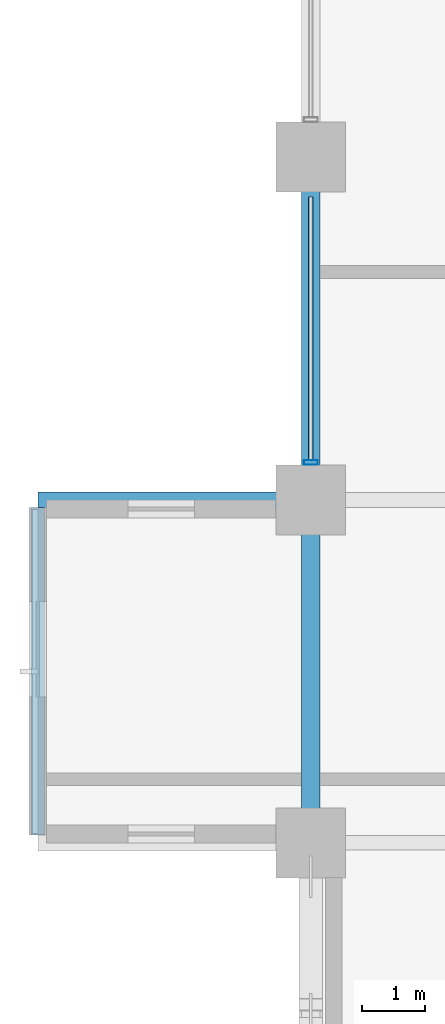
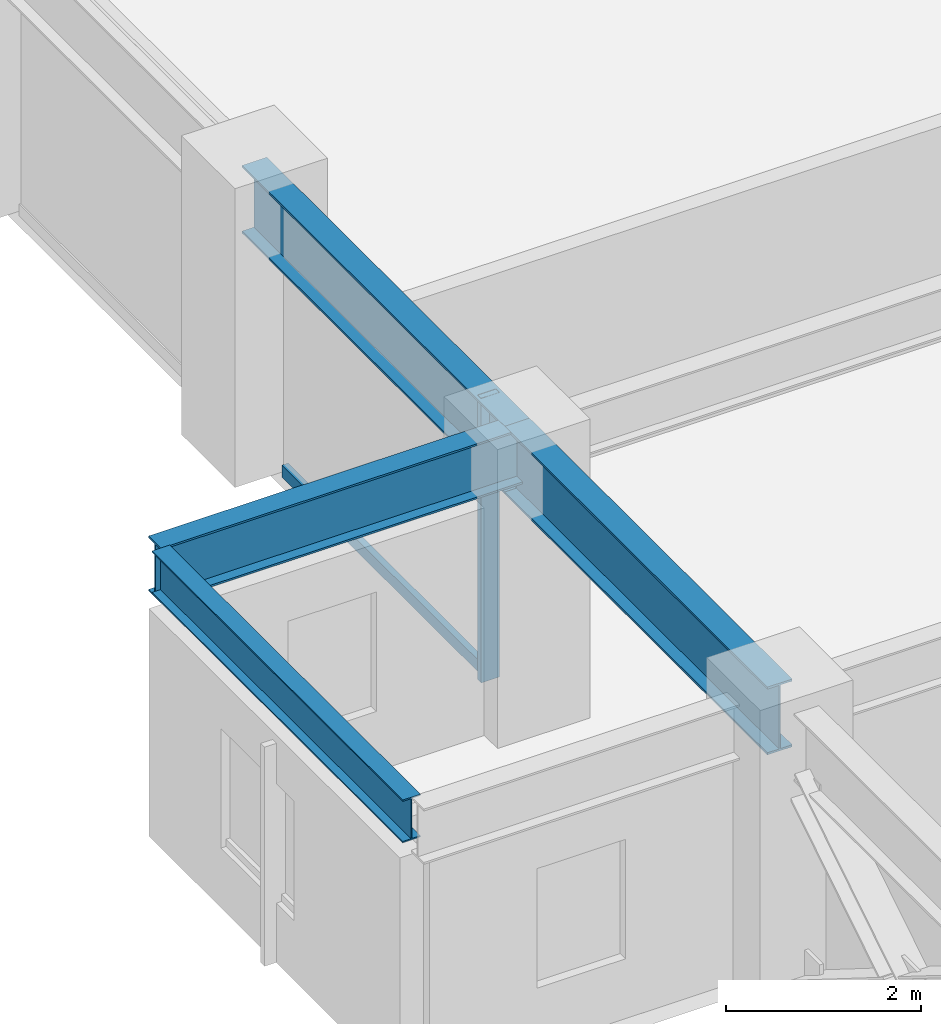
# One storey, part 5 of 29: 4 beams, 2 members, 1 element without a shape of its own.
"""IFC4 building model written with IfcOpenShell, lengths in metres."""

from ifc_helpers import new_model, si_unit, direction, frame, origin, origin_2d, place, context, subcontext, project, spatial, hollow_rectangle, i_section, extrude, material, layer, layer_set, material_profile, profile_set, type_object, element, aggregate, save


model = new_model("IFC4")

# Units and contexts
model_context = context("Model", 3, precision=1e-05, world=origin(), true_north=direction((0.0, 1.0)))
body_context = subcontext(model_context, "Body", "Model", "MODEL_VIEW")
ifc_project = project(units=[si_unit("LENGTHUNIT", "METRE"), si_unit("AREAUNIT", "SQUARE_METRE"), si_unit("VOLUMEUNIT", "CUBIC_METRE"), si_unit("PLANEANGLEUNIT", "RADIAN"), si_unit("MASSUNIT", "GRAM", prefix="KILO")], contexts=[model_context])

# Site, building, storey
site_placement = place(None, origin())
site = spatial("IfcSite", under=ifc_project, at=site_placement, CompositionType="ELEMENT")
building_placement = place(site_placement, origin())
building = spatial("IfcBuilding", under=site, at=building_placement, Name="Surkhivell Harbour Commons", CompositionType="ELEMENT")
storey_placement = place(building_placement, frame((0.0, 0.0, 90.75)))
storey = spatial("IfcBuildingStorey", under=building, at=storey_placement, Name="L23", CompositionType="ELEMENT", Elevation=90.75)

# Beams
ifc_material_1 = material(Name="Steel S460", Category="steel")
ifc_material_profile_1 = material_profile(ifc_material_1, i_section(OverallWidth=0.256103515625, OverallDepth=0.693115234375, WebThickness=0.014404296875, FlangeThickness=0.023681640625, at=origin_2d()), Name="UB686x254x170")
ifc_profile_set_1 = profile_set([ifc_material_profile_1], Name="Steel S460")
beam_type_1 = type_object("IfcBeamType", Name="BM-CNT-686", PredefinedType="BEAM", material=ifc_profile_set_1)
beam_1_placement = place(storey_placement, frame((-32.39990234375, -5.39990234375, 3.223388671875), z_axis=(-1.0, 0.0, 0.0), x_axis=(0.0, -1.0, 0.0)))
element("IfcBeam", 1, at=beam_1_placement, inside=storey, type_object=beam_type_1, Name="L23 Box Cantilever Outrigger (-32.4,-5.4)", PredefinedType="BEAM", context=body_context, shape_type="SweptSolid", body=[
    extrude(i_section(OverallWidth=0.256103515625, OverallDepth=0.693115234375, WebThickness=0.014404296875, FlangeThickness=0.023681640625, at=origin_2d()), origin(), (0.0, 0.0, 1.0), 4.300048828125),
])
ifc_material_2 = material(Name="Steel S355", Category="steel")
ifc_material_profile_2 = material_profile(ifc_material_2, i_section(OverallWidth=0.2099609375, OverallDepth=0.537109375, WebThickness=0.0107421875, FlangeThickness=0.017333984375, at=origin_2d()), Name="UB533x210x101")
ifc_profile_set_2 = profile_set([ifc_material_profile_2], Name="Steel S355")
beam_type_2 = type_object("IfcBeamType", Name="BM-GRD-533B", PredefinedType="BEAM", material=ifc_profile_set_2)
beam_2_placement = place(storey_placement, frame((-36.699951171875, -10.677978515625, 3.301513671875), z_axis=(0.0, 1.0, 0.0), x_axis=(-1.0, 0.0, 0.0)))
element("IfcBeam", 2, at=beam_2_placement, inside=storey, type_object=beam_type_2, Name="L23 Box Rim Spandrel (-36.7,-10.8)", PredefinedType="BEAM", context=body_context, shape_type="SweptSolid", body=[
    extrude(i_section(OverallWidth=0.2099609375, OverallDepth=0.537109375, WebThickness=0.0107421875, FlangeThickness=0.017333984375, at=origin_2d()), origin(), (0.0, 0.0, 1.0), 5.156005859375),
])
ifc_material_profile_3 = material_profile(ifc_material_1, i_section(OverallWidth=0.2939453125, OverallDepth=0.85107421875, WebThickness=0.01611328125, FlangeThickness=0.02685546875, at=origin_2d()), Name="UB838x292x226")
ifc_profile_set_3 = profile_set([ifc_material_profile_3], Name="Steel S460")
beam_type_3 = type_object("IfcBeamType", Name="BM-SPN-838", PredefinedType="SPANDREL", material=ifc_profile_set_3)
beam_3_placement = place(storey_placement, frame((-32.39990234375, -10.800048828125, 3.14453125), z_axis=(0.0, 1.0, 0.0), x_axis=(-1.0, 0.0, 0.0)))
element("IfcBeam", 3, at=beam_3_placement, inside=storey, type_object=beam_type_3, Name="L23 Tube Spandrel (-32.4,-10.8)", PredefinedType="SPANDREL", context=body_context, shape_type="SweptSolid", body=[
    extrude(i_section(OverallWidth=0.2939453125, OverallDepth=0.85107421875, WebThickness=0.01611328125, FlangeThickness=0.02685546875, at=origin_2d()), origin(), (0.0, 0.0, 1.0), 5.400146484375),
])
beam_4_placement = place(storey_placement, frame((-32.39990234375, -5.39990234375, 3.14453125), z_axis=(0.0, 1.0, 0.0), x_axis=(-1.0, 0.0, 0.0)))
element("IfcBeam", 4, at=beam_4_placement, inside=storey, type_object=beam_type_3, Name="L23 Tube Spandrel (-32.4,-5.4)", PredefinedType="SPANDREL", context=body_context, shape_type="SweptSolid", body=[
    extrude(i_section(OverallWidth=0.2939453125, OverallDepth=0.85107421875, WebThickness=0.01611328125, FlangeThickness=0.02685546875, at=origin_2d()), origin(), (0.0, 0.0, 1.0), 5.39990234375),
])

# Curtain wall, members
ifc_material_3 = material(Name="Anodised pale-metal aluminium and insulated glazing", Category="aluminium")
ifc_layer = layer(ifc_material_3, 0.205078125)
ifc_layer_set = layer_set([ifc_layer], Name="Anodised pale-metal aluminium and insulated glazing")
curtain_wall_type = type_object("IfcCurtainWallType", Name="CW-SYS-Z2", PredefinedType="NOTDEFINED", material=ifc_layer_set)
curtain_wall_placement = place(storey_placement, origin())
curtain_wall = element("IfcCurtainWall", 5, at=curtain_wall_placement, inside=storey, type_object=curtain_wall_type, Name="L23 Curtain Wall CW-L23-E12R2", PredefinedType="NOTDEFINED")
ifc_material_4 = material(Name="Anodised pale-metal aluminium alloy 6063-T6", Category="aluminium")
ifc_material_profile_4 = material_profile(ifc_material_4, hollow_rectangle(XDim=0.074951171875, YDim=0.219970703125, WallThickness=0.00390625, at=origin_2d()), Name="ALU-MULL-75x220")
ifc_profile_set_4 = profile_set([ifc_material_profile_4], Name="Anodised pale-metal aluminium alloy 6063-T6")
member_type_1 = type_object("IfcMemberType", Name="CWM-220", PredefinedType="MULLION", material=ifc_profile_set_4)
member_1_placement = place(storey_placement, frame((-32.39990234375, -4.810546875, 0.0), z_axis=(0.0, 0.0, 1.0), x_axis=(0.0, 1.0, 0.0)))
member_1 = element("IfcMember", 6, at=member_1_placement, type_object=member_type_1, Name="CW-Z2 mullion 1", PredefinedType="MULLION", context=body_context, shape_type="SweptSolid", body=[
    extrude(hollow_rectangle(XDim=0.074951171875, YDim=0.219970703125, WallThickness=0.00390625, at=origin_2d()), origin(), (0.0, 0.0, 1.0), 3.570068359375),
])
ifc_material_profile_5 = material_profile(ifc_material_4, hollow_rectangle(XDim=0.074951171875, YDim=0.14990234375, WallThickness=0.00341796875, at=origin_2d()), Name="ALU-TRAN-75x150")
ifc_profile_set_5 = profile_set([ifc_material_profile_5], Name="Anodised pale-metal aluminium alloy 6063-T6")
member_type_2 = type_object("IfcMemberType", Name="CWT-150", PredefinedType="USERDEFINED", material=ifc_profile_set_5)
member_2_placement = place(storey_placement, frame((-32.39990234375, -4.77294921875, 0.074951171875), z_axis=(0.0, 1.0, 0.0), x_axis=(-1.0, 0.0, 0.0)))
member_2 = element("IfcMember", 7, at=member_2_placement, type_object=member_type_2, Name="CW-Z2 transom 1.1", ObjectType="TRANSOM", PredefinedType="USERDEFINED", context=body_context, shape_type="SweptSolid", body=[
    extrude(hollow_rectangle(XDim=0.074951171875, YDim=0.14990234375, WallThickness=0.00341796875, at=origin_2d()), origin(), (0.0, 0.0, 1.0), 4.14599609375),
])
aggregate(curtain_wall, [member_1, member_2])

save(model, "model.ifc")
